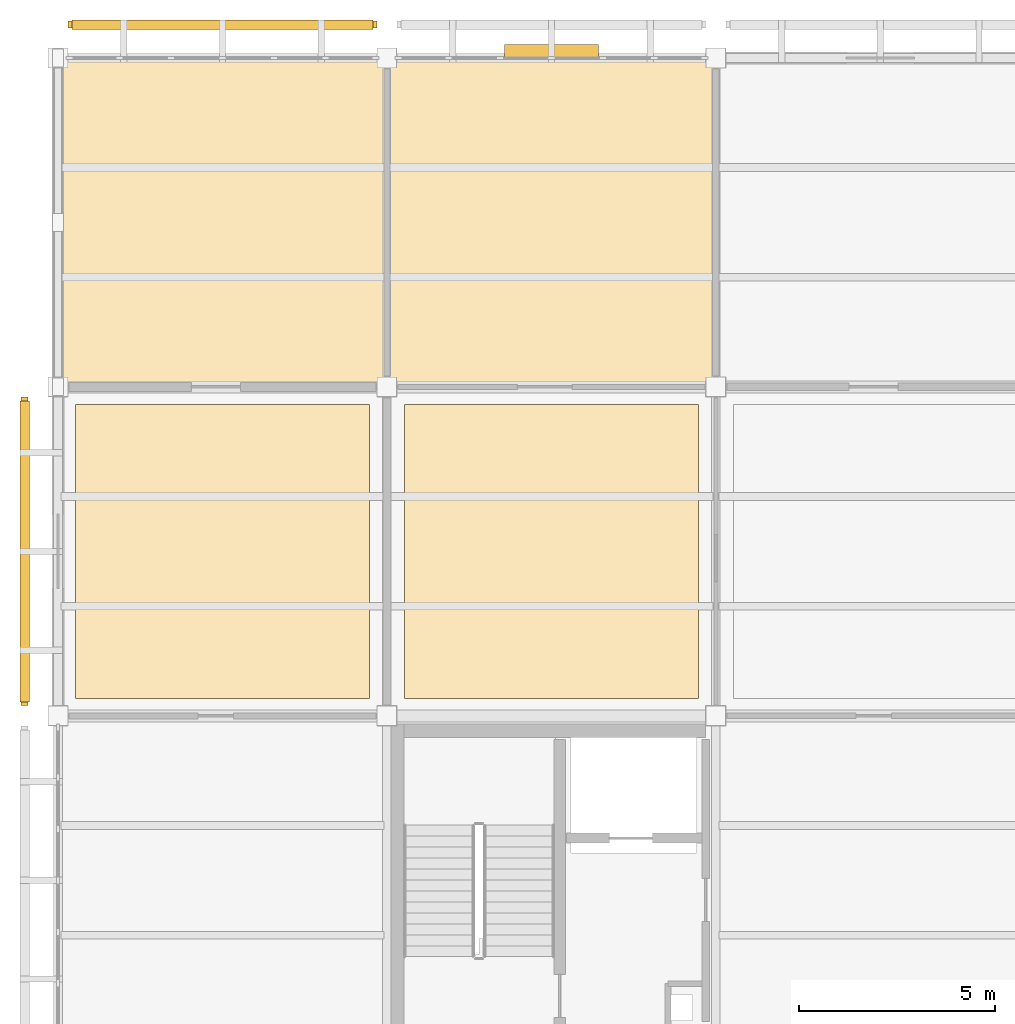
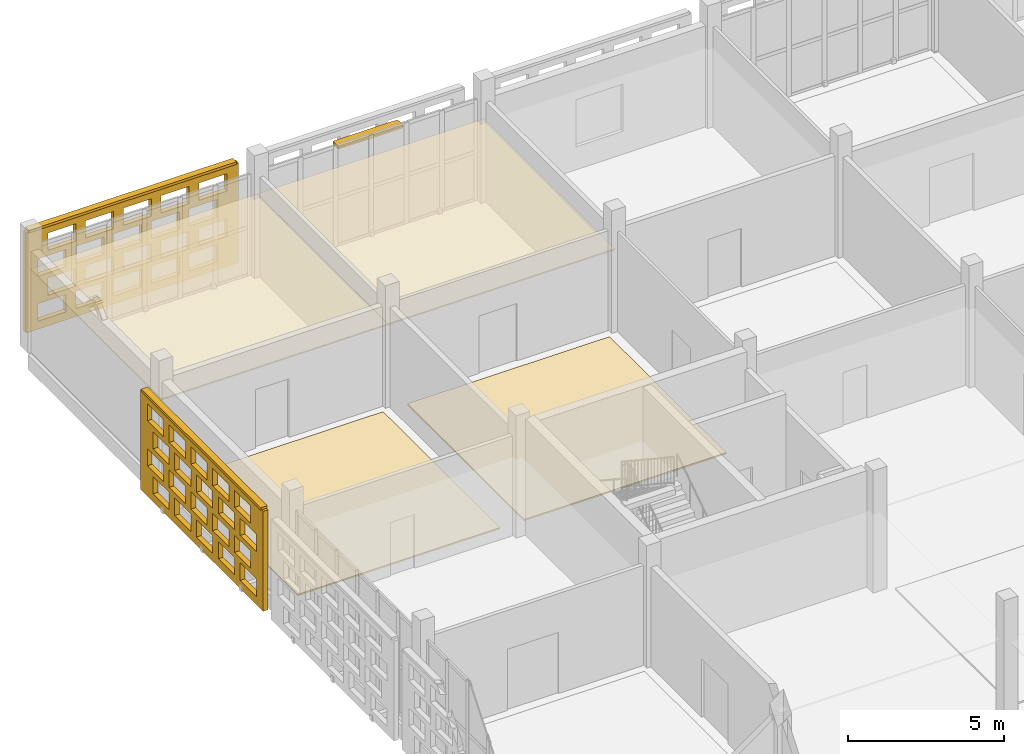
# One storey, part 163 of 203: 6 coverings, 3 shading devices, 40 openings.
"""IFC4 building model written with IfcOpenShell, lengths in metres."""

from ifc_helpers import new_model, si_unit, direction, frame, frame_2d, origin, origin_2d, place, context, subcontext, project, spatial, rectangle, extrude, material, layer, layer_set, type_object, element, save


model = new_model("IFC4")

# Units and contexts
model_context = context("Model", 3, precision=1e-05, world=origin(), true_north=direction((0.0, 1.0)))
body_context = subcontext(model_context, "Body", "Model", "MODEL_VIEW")
ifc_project = project(units=[si_unit("LENGTHUNIT", "METRE"), si_unit("AREAUNIT", "SQUARE_METRE"), si_unit("VOLUMEUNIT", "CUBIC_METRE"), si_unit("PLANEANGLEUNIT", "RADIAN"), si_unit("MASSUNIT", "GRAM", prefix="KILO")], contexts=[model_context])

# Site, building, storey
site_placement = place(None, origin())
site = spatial("IfcSite", under=ifc_project, at=site_placement, CompositionType="ELEMENT")
building_placement = place(site_placement, origin())
building = spatial("IfcBuilding", under=site, at=building_placement, Name="Varnapada Polytechnic", CompositionType="ELEMENT")
storey_placement = place(building_placement, frame((0.0, 0.0, 4.800048828125)))
storey = spatial("IfcBuildingStorey", under=building, at=storey_placement, Name="L01", CompositionType="ELEMENT", Elevation=4.800048828125)

# Coverings
ifc_material_1 = material(Name="End-Grain Timber Studio Block Flooring", Category="wood")
ifc_layer_1 = layer(ifc_material_1, 0.054931640625)
ifc_layer_set_1 = layer_set([ifc_layer_1], Name="End-Grain Timber Studio Block Flooring")
covering_type_1 = type_object("IfcCoveringType", Name="Floor Finish FLR-04", PredefinedType="FLOORING", material=ifc_layer_set_1)
for number, where, z_axis, x_axis, name in (
    (1, (4.199951171875, 113.39990234375, 0.0), (0.0, 0.0, 1.0), (1.0, 0.0, 0.0), "L01 floor finish panel (1,14)"),
    (2, (12.60009765625, 113.39990234375, 0.0), (0.0, 0.0, 1.0), (1.0, 0.0, 0.0), "L01 floor finish panel (2,14)"),
):
    element("IfcCovering", number, at=place(storey_placement, frame(where, z_axis=z_axis, x_axis=x_axis)), inside=storey, type_object=covering_type_1, Name=name, PredefinedType="FLOORING", context=body_context, shape_type="SweptSolid", body=[
        extrude(rectangle(XDim=7.5, YDim=7.5, at=origin_2d()), origin(), (0.0, 0.0, 1.0), 0.054931640625),
    ])

# Shading device
ifc_material_2 = material(Name="Anodised aluminium", Category="aluminium")
ifc_layer_2 = layer(ifc_material_2, 0.35009765625)
ifc_layer_set_2 = layer_set([ifc_layer_2], Name="Anodised aluminium")
shading_device_type_1 = type_object("IfcShadingDeviceType", Name="Solar Louvre LVR-01", PredefinedType="JALOUSIE", material=ifc_layer_set_2)
shading_device_placement = place(storey_placement, frame((12.60009765625, 126.179931640625, 3.760009765625), z_axis=(0.0, 0.0, 1.0), x_axis=(1.0, 0.0, 0.0)))
element("IfcShadingDevice", 3, at=shading_device_placement, inside=storey, type_object=shading_device_type_1, Name="L01 aluminium sun louvre 19", PredefinedType="JALOUSIE", context=body_context, shape_type="SweptSolid", body=[
    extrude(rectangle(XDim=2.39990234375, YDim=0.340087890625, at=origin_2d()), origin(), (0.0, 0.0, 1.0), 0.1201171875),
])

# Coverings
ifc_material_3 = material(Name="Perforated Timber Slatted Baffle Ceiling", Category="wood")
ifc_layer_3 = layer(ifc_material_3, 0.050048828125)
ifc_layer_set_3 = layer_set([ifc_layer_3], Name="Perforated Timber Slatted Baffle Ceiling")
covering_type_2 = type_object("IfcCoveringType", Name="Suspended Ceiling CLG-02", PredefinedType="CEILING", material=ifc_layer_set_3)
covering_1_placement = place(storey_placement, frame((12.60009765625, 121.800048828125, 3.02490234375), z_axis=(0.0, 0.0, 1.0), x_axis=(1.0, 0.0, 0.0)))
element("IfcCovering", 4, at=covering_1_placement, inside=storey, type_object=covering_type_2, Name="L01 suspended acoustic ceiling (2,15)", PredefinedType="CEILING", context=body_context, shape_type="SweptSolid", body=[
    extrude(rectangle(XDim=8.419921875, YDim=8.419921875, at=origin_2d()), origin(), (0.0, 0.0, 1.0), 0.050048828125),
])
ifc_material_4 = material(Name="Micro-Perforated Gypsum Acoustic Ceiling")
ifc_layer_4 = layer(ifc_material_4, 0.044921875)
ifc_layer_set_4 = layer_set([ifc_layer_4], Name="Micro-Perforated Gypsum Acoustic Ceiling")
covering_type_3 = type_object("IfcCoveringType", Name="Suspended Ceiling CLG-04", PredefinedType="CEILING", material=ifc_layer_set_4)
covering_2_placement = place(storey_placement, frame((4.199951171875, 121.800048828125, 3.027587890625), z_axis=(0.0, 0.0, 1.0), x_axis=(1.0, 0.0, 0.0)))
element("IfcCovering", 5, at=covering_2_placement, inside=storey, type_object=covering_type_3, Name="L01 suspended acoustic ceiling (1,15)", PredefinedType="CEILING", context=body_context, shape_type="SweptSolid", body=[
    extrude(rectangle(XDim=8.419921875, YDim=8.419921875, at=origin_2d()), origin(), (0.0, 0.0, 1.0), 0.044921875),
])

# Covering, openings
ifc_material_5 = material(Name="Earth-toned architectural terracotta screen block", Category="masonry")
ifc_layer_5 = layer(ifc_material_5, 0.1201171875)
ifc_layer_set_5 = layer_set([ifc_layer_5], Name="Earth-toned architectural terracotta screen block")
covering_type_4 = type_object("IfcCoveringType", Name="Terracotta Screen Cladding CLD-01", PredefinedType="CLADDING", material=ifc_layer_set_5)
covering_3_placement = place(storey_placement, frame((-0.85009765625, 109.4599609375, 0.0), z_axis=(0.0, 0.0, 1.0), x_axis=(0.0, 1.0, 0.0)))
covering_3 = element("IfcCovering", 6, at=covering_3_placement, inside=storey, type_object=covering_type_4, Name="L01 perforated terracotta block screen (10)", PredefinedType="CLADDING", context=body_context, shape_type="SweptSolid", body=[
    extrude(rectangle(XDim=7.880126953125, YDim=0.179931640625, at=frame_2d((3.93994140625, 0.0))), origin(), (0.0, 0.0, 1.0), 3.919921875),
])
opening_1_placement = place(covering_3_placement, frame((0.43994140625, 0.0, 0.313720703125)))
element("IfcOpeningElement", 7, at=opening_1_placement, cuts=covering_3, Name="Screen perforation TBS-L01-009.1", PredefinedType="OPENING", context=body_context, shape_type="SweptSolid", body=[
    extrude(rectangle(XDim=1.0400390625, YDim=0.679931640625, at=frame_2d((0.52001953125, 0.33984375))), frame((0.0, 0.099853515625, 0.0), z_axis=(0.0, -1.0, 0.0), x_axis=(1.0, 0.0, 0.0)), (0.0, 0.0, 1.0), 0.199951171875),
])
opening_2_placement = place(covering_3_placement, frame((1.840087890625, 0.0, 0.313720703125)))
element("IfcOpeningElement", 8, at=opening_2_placement, cuts=covering_3, Name="Screen perforation TBS-L01-009.2", PredefinedType="OPENING", context=body_context, shape_type="SweptSolid", body=[
    extrude(rectangle(XDim=1.0400390625, YDim=0.679931640625, at=frame_2d((0.52001953125, 0.33984375))), frame((0.0, 0.099853515625, 0.0), z_axis=(0.0, -1.0, 0.0), x_axis=(1.0, 0.0, 0.0)), (0.0, 0.0, 1.0), 0.199951171875),
])
opening_3_placement = place(covering_3_placement, frame((3.239990234375, 0.0, 0.313720703125)))
element("IfcOpeningElement", 9, at=opening_3_placement, cuts=covering_3, Name="Screen perforation TBS-L01-009.3", PredefinedType="OPENING", context=body_context, shape_type="SweptSolid", body=[
    extrude(rectangle(XDim=1.0400390625, YDim=0.679931640625, at=frame_2d((0.52001953125, 0.33984375))), frame((0.0, 0.099853515625, 0.0), z_axis=(0.0, -1.0, 0.0), x_axis=(1.0, 0.0, 0.0)), (0.0, 0.0, 1.0), 0.199951171875),
])
opening_4_placement = place(covering_3_placement, frame((4.639892578125, 0.0, 0.313720703125)))
element("IfcOpeningElement", 10, at=opening_4_placement, cuts=covering_3, Name="Screen perforation TBS-L01-009.4", PredefinedType="OPENING", context=body_context, shape_type="SweptSolid", body=[
    extrude(rectangle(XDim=1.0400390625, YDim=0.679931640625, at=frame_2d((0.52001953125, 0.33984375))), frame((0.0, 0.099853515625, 0.0), z_axis=(0.0, -1.0, 0.0), x_axis=(1.0, 0.0, 0.0)), (0.0, 0.0, 1.0), 0.199951171875),
])
opening_5_placement = place(covering_3_placement, frame((6.0400390625, 0.0, 0.313720703125)))
element("IfcOpeningElement", 11, at=opening_5_placement, cuts=covering_3, Name="Screen perforation TBS-L01-009.5", PredefinedType="OPENING", context=body_context, shape_type="SweptSolid", body=[
    extrude(rectangle(XDim=1.0400390625, YDim=0.679931640625, at=frame_2d((0.52001953125, 0.33984375))), frame((0.0, 0.099853515625, 0.0), z_axis=(0.0, -1.0, 0.0), x_axis=(1.0, 0.0, 0.0)), (0.0, 0.0, 1.0), 0.199951171875),
])
opening_6_placement = place(covering_3_placement, frame((0.800048828125, 0.0, 1.195556640625)))
element("IfcOpeningElement", 12, at=opening_6_placement, cuts=covering_3, Name="Screen perforation TBS-L01-009.6", PredefinedType="OPENING", context=body_context, shape_type="SweptSolid", body=[
    extrude(rectangle(XDim=1.0400390625, YDim=0.679931640625, at=frame_2d((0.52001953125, 0.33984375))), frame((0.0, 0.099853515625, 0.0), z_axis=(0.0, -1.0, 0.0), x_axis=(1.0, 0.0, 0.0)), (0.0, 0.0, 1.0), 0.199951171875),
])
opening_7_placement = place(covering_3_placement, frame((2.199951171875, 0.0, 1.195556640625)))
element("IfcOpeningElement", 13, at=opening_7_placement, cuts=covering_3, Name="Screen perforation TBS-L01-009.7", PredefinedType="OPENING", context=body_context, shape_type="SweptSolid", body=[
    extrude(rectangle(XDim=1.0400390625, YDim=0.679931640625, at=frame_2d((0.52001953125, 0.33984375))), frame((0.0, 0.099853515625, 0.0), z_axis=(0.0, -1.0, 0.0), x_axis=(1.0, 0.0, 0.0)), (0.0, 0.0, 1.0), 0.199951171875),
])
opening_8_placement = place(covering_3_placement, frame((3.60009765625, 0.0, 1.195556640625)))
element("IfcOpeningElement", 14, at=opening_8_placement, cuts=covering_3, Name="Screen perforation TBS-L01-009.8", PredefinedType="OPENING", context=body_context, shape_type="SweptSolid", body=[
    extrude(rectangle(XDim=1.0400390625, YDim=0.679931640625, at=frame_2d((0.52001953125, 0.33984375))), frame((0.0, 0.099853515625, 0.0), z_axis=(0.0, -1.0, 0.0), x_axis=(1.0, 0.0, 0.0)), (0.0, 0.0, 1.0), 0.199951171875),
])
opening_9_placement = place(covering_3_placement, frame((5.0, 0.0, 1.195556640625)))
element("IfcOpeningElement", 15, at=opening_9_placement, cuts=covering_3, Name="Screen perforation TBS-L01-009.9", PredefinedType="OPENING", context=body_context, shape_type="SweptSolid", body=[
    extrude(rectangle(XDim=1.0400390625, YDim=0.679931640625, at=frame_2d((0.52001953125, 0.33984375))), frame((0.0, 0.099853515625, 0.0), z_axis=(0.0, -1.0, 0.0), x_axis=(1.0, 0.0, 0.0)), (0.0, 0.0, 1.0), 0.199951171875),
])
opening_10_placement = place(covering_3_placement, frame((6.39990234375, 0.0, 1.195556640625)))
element("IfcOpeningElement", 16, at=opening_10_placement, cuts=covering_3, Name="Screen perforation TBS-L01-009.10", PredefinedType="OPENING", context=body_context, shape_type="SweptSolid", body=[
    extrude(rectangle(XDim=1.0400390625, YDim=0.679931640625, at=frame_2d((0.52001953125, 0.33984375))), frame((0.0, 0.099853515625, 0.0), z_axis=(0.0, -1.0, 0.0), x_axis=(1.0, 0.0, 0.0)), (0.0, 0.0, 1.0), 0.199951171875),
])
opening_11_placement = place(covering_3_placement, frame((0.43994140625, 0.0, 2.07763671875)))
element("IfcOpeningElement", 17, at=opening_11_placement, cuts=covering_3, Name="Screen perforation TBS-L01-009.11", PredefinedType="OPENING", context=body_context, shape_type="SweptSolid", body=[
    extrude(rectangle(XDim=1.0400390625, YDim=0.679931640625, at=frame_2d((0.52001953125, 0.33984375))), frame((0.0, 0.099853515625, 0.0), z_axis=(0.0, -1.0, 0.0), x_axis=(1.0, 0.0, 0.0)), (0.0, 0.0, 1.0), 0.199951171875),
])
opening_12_placement = place(covering_3_placement, frame((1.840087890625, 0.0, 2.07763671875)))
element("IfcOpeningElement", 18, at=opening_12_placement, cuts=covering_3, Name="Screen perforation TBS-L01-009.12", PredefinedType="OPENING", context=body_context, shape_type="SweptSolid", body=[
    extrude(rectangle(XDim=1.0400390625, YDim=0.679931640625, at=frame_2d((0.52001953125, 0.33984375))), frame((0.0, 0.099853515625, 0.0), z_axis=(0.0, -1.0, 0.0), x_axis=(1.0, 0.0, 0.0)), (0.0, 0.0, 1.0), 0.199951171875),
])
opening_13_placement = place(covering_3_placement, frame((3.239990234375, 0.0, 2.07763671875)))
element("IfcOpeningElement", 19, at=opening_13_placement, cuts=covering_3, Name="Screen perforation TBS-L01-009.13", PredefinedType="OPENING", context=body_context, shape_type="SweptSolid", body=[
    extrude(rectangle(XDim=1.0400390625, YDim=0.679931640625, at=frame_2d((0.52001953125, 0.33984375))), frame((0.0, 0.099853515625, 0.0), z_axis=(0.0, -1.0, 0.0), x_axis=(1.0, 0.0, 0.0)), (0.0, 0.0, 1.0), 0.199951171875),
])
opening_14_placement = place(covering_3_placement, frame((4.639892578125, 0.0, 2.07763671875)))
element("IfcOpeningElement", 20, at=opening_14_placement, cuts=covering_3, Name="Screen perforation TBS-L01-009.14", PredefinedType="OPENING", context=body_context, shape_type="SweptSolid", body=[
    extrude(rectangle(XDim=1.0400390625, YDim=0.679931640625, at=frame_2d((0.52001953125, 0.33984375))), frame((0.0, 0.099853515625, 0.0), z_axis=(0.0, -1.0, 0.0), x_axis=(1.0, 0.0, 0.0)), (0.0, 0.0, 1.0), 0.199951171875),
])
opening_15_placement = place(covering_3_placement, frame((6.0400390625, 0.0, 2.07763671875)))
element("IfcOpeningElement", 21, at=opening_15_placement, cuts=covering_3, Name="Screen perforation TBS-L01-009.15", PredefinedType="OPENING", context=body_context, shape_type="SweptSolid", body=[
    extrude(rectangle(XDim=1.0400390625, YDim=0.679931640625, at=frame_2d((0.52001953125, 0.33984375))), frame((0.0, 0.099853515625, 0.0), z_axis=(0.0, -1.0, 0.0), x_axis=(1.0, 0.0, 0.0)), (0.0, 0.0, 1.0), 0.199951171875),
])
opening_16_placement = place(covering_3_placement, frame((0.800048828125, 0.0, 2.959716796875)))
element("IfcOpeningElement", 22, at=opening_16_placement, cuts=covering_3, Name="Screen perforation TBS-L01-009.16", PredefinedType="OPENING", context=body_context, shape_type="SweptSolid", body=[
    extrude(rectangle(XDim=1.0400390625, YDim=0.679931640625, at=frame_2d((0.52001953125, 0.33984375))), frame((0.0, 0.099853515625, 0.0), z_axis=(0.0, -1.0, 0.0), x_axis=(1.0, 0.0, 0.0)), (0.0, 0.0, 1.0), 0.199951171875),
])
opening_17_placement = place(covering_3_placement, frame((2.199951171875, 0.0, 2.959716796875)))
element("IfcOpeningElement", 23, at=opening_17_placement, cuts=covering_3, Name="Screen perforation TBS-L01-009.17", PredefinedType="OPENING", context=body_context, shape_type="SweptSolid", body=[
    extrude(rectangle(XDim=1.0400390625, YDim=0.679931640625, at=frame_2d((0.52001953125, 0.33984375))), frame((0.0, 0.099853515625, 0.0), z_axis=(0.0, -1.0, 0.0), x_axis=(1.0, 0.0, 0.0)), (0.0, 0.0, 1.0), 0.199951171875),
])
opening_18_placement = place(covering_3_placement, frame((3.60009765625, 0.0, 2.959716796875)))
element("IfcOpeningElement", 24, at=opening_18_placement, cuts=covering_3, Name="Screen perforation TBS-L01-009.18", PredefinedType="OPENING", context=body_context, shape_type="SweptSolid", body=[
    extrude(rectangle(XDim=1.0400390625, YDim=0.679931640625, at=frame_2d((0.52001953125, 0.33984375))), frame((0.0, 0.099853515625, 0.0), z_axis=(0.0, -1.0, 0.0), x_axis=(1.0, 0.0, 0.0)), (0.0, 0.0, 1.0), 0.199951171875),
])
opening_19_placement = place(covering_3_placement, frame((5.0, 0.0, 2.959716796875)))
element("IfcOpeningElement", 25, at=opening_19_placement, cuts=covering_3, Name="Screen perforation TBS-L01-009.19", PredefinedType="OPENING", context=body_context, shape_type="SweptSolid", body=[
    extrude(rectangle(XDim=1.0400390625, YDim=0.679931640625, at=frame_2d((0.52001953125, 0.33984375))), frame((0.0, 0.099853515625, 0.0), z_axis=(0.0, -1.0, 0.0), x_axis=(1.0, 0.0, 0.0)), (0.0, 0.0, 1.0), 0.199951171875),
])
opening_20_placement = place(covering_3_placement, frame((6.39990234375, 0.0, 2.959716796875)))
element("IfcOpeningElement", 26, at=opening_20_placement, cuts=covering_3, Name="Screen perforation TBS-L01-009.20", PredefinedType="OPENING", context=body_context, shape_type="SweptSolid", body=[
    extrude(rectangle(XDim=1.0400390625, YDim=0.679931640625, at=frame_2d((0.52001953125, 0.33984375))), frame((0.0, 0.099853515625, 0.0), z_axis=(0.0, -1.0, 0.0), x_axis=(1.0, 0.0, 0.0)), (0.0, 0.0, 1.0), 0.199951171875),
])

covering_4_placement = place(storey_placement, frame((0.260009765625, 126.85009765625, 0.0), z_axis=(0.0, 0.0, 1.0), x_axis=(1.0, 0.0, 0.0)))
covering_4 = element("IfcCovering", 27, at=covering_4_placement, inside=storey, type_object=covering_type_4, Name="L01 perforated terracotta block screen (11)", PredefinedType="CLADDING", context=body_context, shape_type="SweptSolid", body=[
    extrude(rectangle(XDim=7.8798828125, YDim=0.179931640625, at=frame_2d((3.93994140625, 0.0))), origin(), (0.0, 0.0, 1.0), 3.919921875),
])
opening_21_placement = place(covering_4_placement, frame((0.43994140625, 0.0, 0.313720703125)))
element("IfcOpeningElement", 28, at=opening_21_placement, cuts=covering_4, Name="Screen perforation TBS-L01-010.1", PredefinedType="OPENING", context=body_context, shape_type="SweptSolid", body=[
    extrude(rectangle(XDim=1.0400390625, YDim=0.679931640625, at=frame_2d((0.52001953125, 0.33984375))), frame((0.0, 0.099853515625, 0.0), z_axis=(0.0, -1.0, 0.0), x_axis=(1.0, 0.0, 0.0)), (0.0, 0.0, 1.0), 0.199951171875),
])
opening_22_placement = place(covering_4_placement, frame((1.840087890625, 0.0, 0.313720703125)))
element("IfcOpeningElement", 29, at=opening_22_placement, cuts=covering_4, Name="Screen perforation TBS-L01-010.2", PredefinedType="OPENING", context=body_context, shape_type="SweptSolid", body=[
    extrude(rectangle(XDim=1.0400390625, YDim=0.679931640625, at=frame_2d((0.52001953125, 0.33984375))), frame((0.0, 0.099853515625, 0.0), z_axis=(0.0, -1.0, 0.0), x_axis=(1.0, 0.0, 0.0)), (0.0, 0.0, 1.0), 0.199951171875),
])
opening_23_placement = place(covering_4_placement, frame((3.239990234375, 0.0, 0.313720703125)))
element("IfcOpeningElement", 30, at=opening_23_placement, cuts=covering_4, Name="Screen perforation TBS-L01-010.3", PredefinedType="OPENING", context=body_context, shape_type="SweptSolid", body=[
    extrude(rectangle(XDim=1.0400390625, YDim=0.679931640625, at=frame_2d((0.52001953125, 0.33984375))), frame((0.0, 0.099853515625, 0.0), z_axis=(0.0, -1.0, 0.0), x_axis=(1.0, 0.0, 0.0)), (0.0, 0.0, 1.0), 0.199951171875),
])
opening_24_placement = place(covering_4_placement, frame((4.639892578125, 0.0, 0.313720703125)))
element("IfcOpeningElement", 31, at=opening_24_placement, cuts=covering_4, Name="Screen perforation TBS-L01-010.4", PredefinedType="OPENING", context=body_context, shape_type="SweptSolid", body=[
    extrude(rectangle(XDim=1.0400390625, YDim=0.679931640625, at=frame_2d((0.52001953125, 0.33984375))), frame((0.0, 0.099853515625, 0.0), z_axis=(0.0, -1.0, 0.0), x_axis=(1.0, 0.0, 0.0)), (0.0, 0.0, 1.0), 0.199951171875),
])
opening_25_placement = place(covering_4_placement, frame((6.0400390625, 0.0, 0.313720703125)))
element("IfcOpeningElement", 32, at=opening_25_placement, cuts=covering_4, Name="Screen perforation TBS-L01-010.5", PredefinedType="OPENING", context=body_context, shape_type="SweptSolid", body=[
    extrude(rectangle(XDim=1.0400390625, YDim=0.679931640625, at=frame_2d((0.52001953125, 0.33984375))), frame((0.0, 0.099853515625, 0.0), z_axis=(0.0, -1.0, 0.0), x_axis=(1.0, 0.0, 0.0)), (0.0, 0.0, 1.0), 0.199951171875),
])
opening_26_placement = place(covering_4_placement, frame((0.800048828125, 0.0, 1.195556640625)))
element("IfcOpeningElement", 33, at=opening_26_placement, cuts=covering_4, Name="Screen perforation TBS-L01-010.6", PredefinedType="OPENING", context=body_context, shape_type="SweptSolid", body=[
    extrude(rectangle(XDim=1.0400390625, YDim=0.679931640625, at=frame_2d((0.52001953125, 0.33984375))), frame((0.0, 0.099853515625, 0.0), z_axis=(0.0, -1.0, 0.0), x_axis=(1.0, 0.0, 0.0)), (0.0, 0.0, 1.0), 0.199951171875),
])
opening_27_placement = place(covering_4_placement, frame((2.199951171875, 0.0, 1.195556640625)))
element("IfcOpeningElement", 34, at=opening_27_placement, cuts=covering_4, Name="Screen perforation TBS-L01-010.7", PredefinedType="OPENING", context=body_context, shape_type="SweptSolid", body=[
    extrude(rectangle(XDim=1.0400390625, YDim=0.679931640625, at=frame_2d((0.52001953125, 0.33984375))), frame((0.0, 0.099853515625, 0.0), z_axis=(0.0, -1.0, 0.0), x_axis=(1.0, 0.0, 0.0)), (0.0, 0.0, 1.0), 0.199951171875),
])
opening_28_placement = place(covering_4_placement, frame((3.60009765625, 0.0, 1.195556640625)))
element("IfcOpeningElement", 35, at=opening_28_placement, cuts=covering_4, Name="Screen perforation TBS-L01-010.8", PredefinedType="OPENING", context=body_context, shape_type="SweptSolid", body=[
    extrude(rectangle(XDim=1.0400390625, YDim=0.679931640625, at=frame_2d((0.52001953125, 0.33984375))), frame((0.0, 0.099853515625, 0.0), z_axis=(0.0, -1.0, 0.0), x_axis=(1.0, 0.0, 0.0)), (0.0, 0.0, 1.0), 0.199951171875),
])
opening_29_placement = place(covering_4_placement, frame((5.0, 0.0, 1.195556640625)))
element("IfcOpeningElement", 36, at=opening_29_placement, cuts=covering_4, Name="Screen perforation TBS-L01-010.9", PredefinedType="OPENING", context=body_context, shape_type="SweptSolid", body=[
    extrude(rectangle(XDim=1.0400390625, YDim=0.679931640625, at=frame_2d((0.52001953125, 0.33984375))), frame((0.0, 0.099853515625, 0.0), z_axis=(0.0, -1.0, 0.0), x_axis=(1.0, 0.0, 0.0)), (0.0, 0.0, 1.0), 0.199951171875),
])
opening_30_placement = place(covering_4_placement, frame((6.39990234375, 0.0, 1.195556640625)))
element("IfcOpeningElement", 37, at=opening_30_placement, cuts=covering_4, Name="Screen perforation TBS-L01-010.10", PredefinedType="OPENING", context=body_context, shape_type="SweptSolid", body=[
    extrude(rectangle(XDim=1.0400390625, YDim=0.679931640625, at=frame_2d((0.52001953125, 0.33984375))), frame((0.0, 0.099853515625, 0.0), z_axis=(0.0, -1.0, 0.0), x_axis=(1.0, 0.0, 0.0)), (0.0, 0.0, 1.0), 0.199951171875),
])
opening_31_placement = place(covering_4_placement, frame((0.43994140625, 0.0, 2.07763671875)))
element("IfcOpeningElement", 38, at=opening_31_placement, cuts=covering_4, Name="Screen perforation TBS-L01-010.11", PredefinedType="OPENING", context=body_context, shape_type="SweptSolid", body=[
    extrude(rectangle(XDim=1.0400390625, YDim=0.679931640625, at=frame_2d((0.52001953125, 0.33984375))), frame((0.0, 0.099853515625, 0.0), z_axis=(0.0, -1.0, 0.0), x_axis=(1.0, 0.0, 0.0)), (0.0, 0.0, 1.0), 0.199951171875),
])
opening_32_placement = place(covering_4_placement, frame((1.840087890625, 0.0, 2.07763671875)))
element("IfcOpeningElement", 39, at=opening_32_placement, cuts=covering_4, Name="Screen perforation TBS-L01-010.12", PredefinedType="OPENING", context=body_context, shape_type="SweptSolid", body=[
    extrude(rectangle(XDim=1.0400390625, YDim=0.679931640625, at=frame_2d((0.52001953125, 0.33984375))), frame((0.0, 0.099853515625, 0.0), z_axis=(0.0, -1.0, 0.0), x_axis=(1.0, 0.0, 0.0)), (0.0, 0.0, 1.0), 0.199951171875),
])
opening_33_placement = place(covering_4_placement, frame((3.239990234375, 0.0, 2.07763671875)))
element("IfcOpeningElement", 40, at=opening_33_placement, cuts=covering_4, Name="Screen perforation TBS-L01-010.13", PredefinedType="OPENING", context=body_context, shape_type="SweptSolid", body=[
    extrude(rectangle(XDim=1.0400390625, YDim=0.679931640625, at=frame_2d((0.52001953125, 0.33984375))), frame((0.0, 0.099853515625, 0.0), z_axis=(0.0, -1.0, 0.0), x_axis=(1.0, 0.0, 0.0)), (0.0, 0.0, 1.0), 0.199951171875),
])
opening_34_placement = place(covering_4_placement, frame((4.639892578125, 0.0, 2.07763671875)))
element("IfcOpeningElement", 41, at=opening_34_placement, cuts=covering_4, Name="Screen perforation TBS-L01-010.14", PredefinedType="OPENING", context=body_context, shape_type="SweptSolid", body=[
    extrude(rectangle(XDim=1.0400390625, YDim=0.679931640625, at=frame_2d((0.52001953125, 0.33984375))), frame((0.0, 0.099853515625, 0.0), z_axis=(0.0, -1.0, 0.0), x_axis=(1.0, 0.0, 0.0)), (0.0, 0.0, 1.0), 0.199951171875),
])
opening_35_placement = place(covering_4_placement, frame((6.0400390625, 0.0, 2.07763671875)))
element("IfcOpeningElement", 42, at=opening_35_placement, cuts=covering_4, Name="Screen perforation TBS-L01-010.15", PredefinedType="OPENING", context=body_context, shape_type="SweptSolid", body=[
    extrude(rectangle(XDim=1.0400390625, YDim=0.679931640625, at=frame_2d((0.52001953125, 0.33984375))), frame((0.0, 0.099853515625, 0.0), z_axis=(0.0, -1.0, 0.0), x_axis=(1.0, 0.0, 0.0)), (0.0, 0.0, 1.0), 0.199951171875),
])
opening_36_placement = place(covering_4_placement, frame((0.800048828125, 0.0, 2.959716796875)))
element("IfcOpeningElement", 43, at=opening_36_placement, cuts=covering_4, Name="Screen perforation TBS-L01-010.16", PredefinedType="OPENING", context=body_context, shape_type="SweptSolid", body=[
    extrude(rectangle(XDim=1.0400390625, YDim=0.679931640625, at=frame_2d((0.52001953125, 0.33984375))), frame((0.0, 0.099853515625, 0.0), z_axis=(0.0, -1.0, 0.0), x_axis=(1.0, 0.0, 0.0)), (0.0, 0.0, 1.0), 0.199951171875),
])
opening_37_placement = place(covering_4_placement, frame((2.199951171875, 0.0, 2.959716796875)))
element("IfcOpeningElement", 44, at=opening_37_placement, cuts=covering_4, Name="Screen perforation TBS-L01-010.17", PredefinedType="OPENING", context=body_context, shape_type="SweptSolid", body=[
    extrude(rectangle(XDim=1.0400390625, YDim=0.679931640625, at=frame_2d((0.52001953125, 0.33984375))), frame((0.0, 0.099853515625, 0.0), z_axis=(0.0, -1.0, 0.0), x_axis=(1.0, 0.0, 0.0)), (0.0, 0.0, 1.0), 0.199951171875),
])
opening_38_placement = place(covering_4_placement, frame((3.60009765625, 0.0, 2.959716796875)))
element("IfcOpeningElement", 45, at=opening_38_placement, cuts=covering_4, Name="Screen perforation TBS-L01-010.18", PredefinedType="OPENING", context=body_context, shape_type="SweptSolid", body=[
    extrude(rectangle(XDim=1.0400390625, YDim=0.679931640625, at=frame_2d((0.52001953125, 0.33984375))), frame((0.0, 0.099853515625, 0.0), z_axis=(0.0, -1.0, 0.0), x_axis=(1.0, 0.0, 0.0)), (0.0, 0.0, 1.0), 0.199951171875),
])
opening_39_placement = place(covering_4_placement, frame((5.0, 0.0, 2.959716796875)))
element("IfcOpeningElement", 46, at=opening_39_placement, cuts=covering_4, Name="Screen perforation TBS-L01-010.19", PredefinedType="OPENING", context=body_context, shape_type="SweptSolid", body=[
    extrude(rectangle(XDim=1.0400390625, YDim=0.679931640625, at=frame_2d((0.52001953125, 0.33984375))), frame((0.0, 0.099853515625, 0.0), z_axis=(0.0, -1.0, 0.0), x_axis=(1.0, 0.0, 0.0)), (0.0, 0.0, 1.0), 0.199951171875),
])
opening_40_placement = place(covering_4_placement, frame((6.39990234375, 0.0, 2.959716796875)))
element("IfcOpeningElement", 47, at=opening_40_placement, cuts=covering_4, Name="Screen perforation TBS-L01-010.20", PredefinedType="OPENING", context=body_context, shape_type="SweptSolid", body=[
    extrude(rectangle(XDim=1.0400390625, YDim=0.679931640625, at=frame_2d((0.52001953125, 0.33984375))), frame((0.0, 0.099853515625, 0.0), z_axis=(0.0, -1.0, 0.0), x_axis=(1.0, 0.0, 0.0)), (0.0, 0.0, 1.0), 0.199951171875),
])

# Shading devices
ifc_layer_6 = layer(ifc_material_5, 0.179931640625)
ifc_layer_set_6 = layer_set([ifc_layer_6], Name="Earth-toned architectural terracotta screen block")
shading_device_type_2 = type_object("IfcShadingDeviceType", Name="Terracotta Screen SCR-02", PredefinedType="USERDEFINED", material=ifc_layer_set_6)
for number, where, z_axis, x_axis, name in (
    (48, (-0.85009765625, 113.39990234375, 3.909912109375), (0.0, 0.0, 1.0), (0.0, 1.0, 0.0), "L01 perforated terracotta screen hood 93"),
    (49, (4.199951171875, 126.85009765625, 3.909912109375), (0.0, 0.0, 1.0), (1.0, 0.0, 0.0), "L01 perforated terracotta screen hood 94"),
):
    element("IfcShadingDevice", number, at=place(storey_placement, frame(where, z_axis=z_axis, x_axis=x_axis)), inside=storey, type_object=shading_device_type_2, Name=name, ObjectType="SCREEN", PredefinedType="USERDEFINED", context=body_context, shape_type="SweptSolid", body=[
        extrude(rectangle(XDim=7.679931640625, YDim=0.239990234375, at=origin_2d()), origin(), (0.0, 0.0, 1.0), 0.10009765625),
    ])

save(model, "model.ifc")
